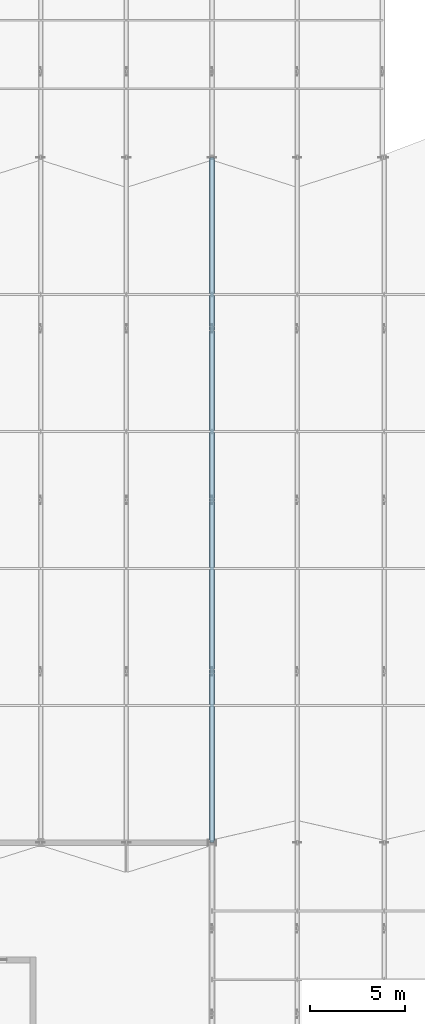
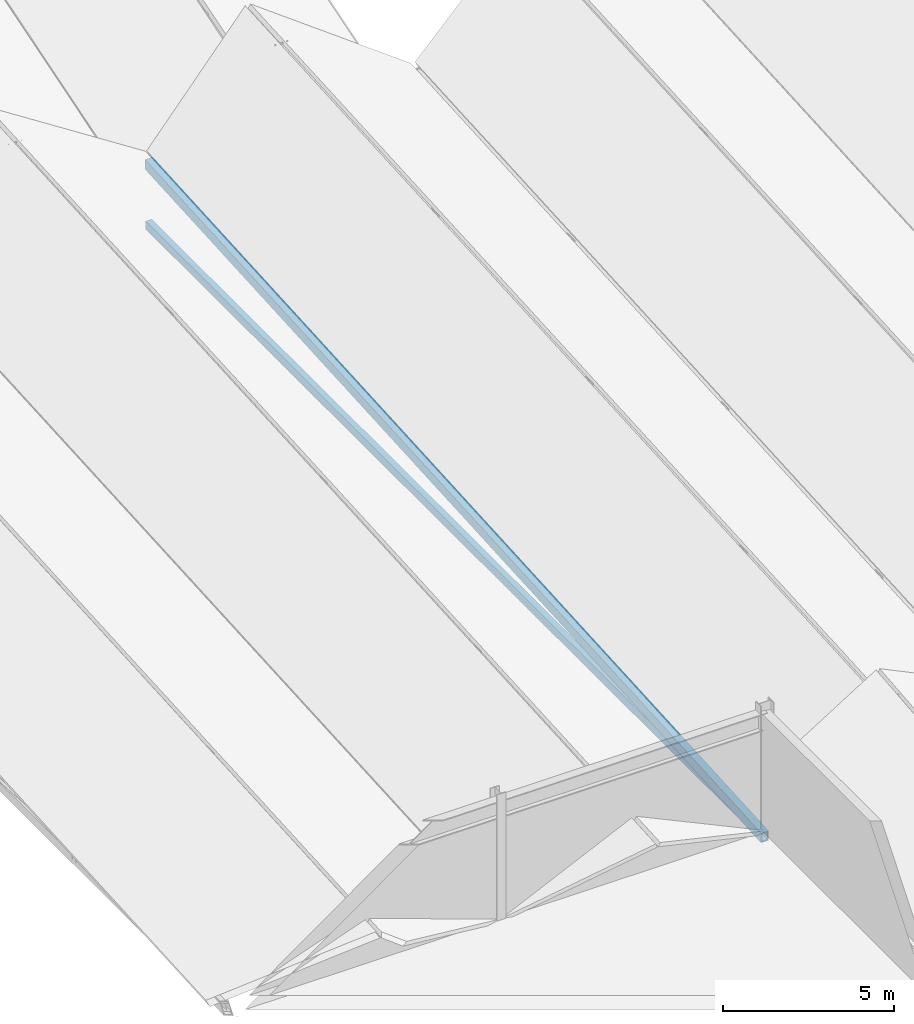
# One storey, part 37 of 142: 2 members.
"""IFC4 building model written with IfcOpenShell, lengths in metres."""

import ifcopenshell
import ifcopenshell.guid

model = None  # the IFC model being written
_history = None  # IfcOwnerHistory: only IFC2X3 demands one
_inside = {}  # id of a spatial element -> (the spatial element, [elements in it])
_under = {}  # id of a project, library or spatial element -> (it, [spatial elements below it])
_declared = {}  # id of a project -> (the project, [libraries it declares])
_typed = {}  # id of a type object -> (the type object, [elements of that type])
_made_of = {}  # id of a material, layer set ... -> (it, [elements and type objects made of it])


def new_model(schema):
    """Start an empty IFC model of exactly this schema.

    Asked for "IFC4X3", IfcOpenShell would pick the latest addendum, in which some entities
    have other attributes; the version numbers below select the first issue.
    IFC2X3 requires an IfcOwnerHistory on every rooted entity: one is made here for all.
    """
    global model, _history
    if schema == "IFC4X3":
        model = ifcopenshell.file(schema_version=(4, 3, 0, 0))
    else:
        model = ifcopenshell.file(schema=schema)
    _inside.clear()
    _under.clear()
    _declared.clear()
    _typed.clear()
    _made_of.clear()
    _history = None
    if model.schema == "IFC2X3":
        org = make("IfcOrganization", Name="unknown")
        user = make(
            "IfcPersonAndOrganization",
            ThePerson=make("IfcPerson", FamilyName="unknown"),
            TheOrganization=org,
        )
        app = make(
            "IfcApplication",
            ApplicationDeveloper=org,
            Version="unknown",
            ApplicationFullName="unknown",
            ApplicationIdentifier="unknown",
        )
        _history = make(
            "IfcOwnerHistory",
            OwningUser=user,
            OwningApplication=app,
            ChangeAction="ADDED",
            CreationDate=0,
        )
    return model


def make(cls, **values):
    """One entity of the class cls with the attributes given. An attribute that is None is left unset."""
    return model.create_entity(
        cls, **{name: value for name, value in values.items() if value is not None}
    )


def rooted(cls, **values):
    """An entity with a GlobalId (a new one), such as an element, a storey or a relation."""
    return make(cls, GlobalId=ifcopenshell.guid.new(), OwnerHistory=_history, **values)


def si_unit(unit_type, name, prefix=None):
    """IfcSIUnit, for example si_unit("LENGTHUNIT", "METRE", prefix="MILLI")."""
    return make("IfcSIUnit", UnitType=unit_type, Prefix=prefix, Name=name)


def assignment(units):
    """IfcUnitAssignment: the units of a project."""
    return None if units is None else make("IfcUnitAssignment", Units=units)


def point(xyz):
    """IfcCartesianPoint."""
    return None if xyz is None else make("IfcCartesianPoint", Coordinates=xyz)


def direction(xyz):
    """IfcDirection."""
    return None if xyz is None else make("IfcDirection", DirectionRatios=xyz)


def frame(location, z_axis=None, x_axis=None):
    """IfcAxis2Placement3D, a coordinate frame: its origin and axes. An axis left out is left unset."""
    return make(
        "IfcAxis2Placement3D",
        Location=point(location),
        Axis=direction(z_axis),
        RefDirection=direction(x_axis),
    )


def frame_2d(location, x_axis=None):
    """IfcAxis2Placement2D, a coordinate frame in the plane: its origin and x axis."""
    return make(
        "IfcAxis2Placement2D", Location=point(location), RefDirection=direction(x_axis)
    )


def origin():
    """The frame at (0, 0, 0) with its axes left unset."""
    return frame((0.0, 0.0, 0.0))


def origin_2d():
    """The frame at (0, 0) in the plane with its x axis left unset."""
    return frame_2d((0.0, 0.0))


def place(relative_to, where):
    """IfcLocalPlacement: puts the frame where relative to a parent placement (None: the world)."""
    return make(
        "IfcLocalPlacement", PlacementRelTo=relative_to, RelativePlacement=where
    )


def context(
    kind, dimensions, precision=None, world=None, true_north=None, identifier=None
):
    """IfcGeometricRepresentationContext, for example the 3D "Model" context."""
    return make(
        "IfcGeometricRepresentationContext",
        ContextIdentifier=identifier,
        ContextType=kind,
        CoordinateSpaceDimension=dimensions,
        Precision=precision,
        WorldCoordinateSystem=world,
        TrueNorth=true_north,
    )


def subcontext(parent, identifier, kind, view, scale=None):
    """IfcGeometricRepresentationSubContext, for example "Body" below "Model"."""
    return make(
        "IfcGeometricRepresentationSubContext",
        ContextIdentifier=identifier,
        ContextType=kind,
        ParentContext=parent,
        TargetScale=scale,
        TargetView=view,
    )


def project(units=None, contexts=None):
    """IfcProject with its units and contexts."""
    return rooted(
        "IfcProject",
        Name="project",
        RepresentationContexts=contexts,
        UnitsInContext=assignment(units),
    )


def spatial(cls, under=None, at=None, **own):
    """A site, building, storey or space (cls), placed at a placement, below another one or the project."""
    s = rooted(cls, ObjectPlacement=at, **own)
    if under is not None:
        _under.setdefault(under.id(), (under, []))[1].append(s)
    return s


def profile(cls, at=None, kind="AREA", **sizes):
    """A parametric profile (cls). Its sizes go by their IFC names, for example OverallWidth=200.0."""
    return make(cls, ProfileType=kind, Position=at, **sizes)


def hollow_rectangle(**sizes):
    """IfcRectangleHollowProfileDef."""
    return profile("IfcRectangleHollowProfileDef", **sizes)


def extrude(swept, where, along, depth):
    """IfcExtrudedAreaSolid: the profile swept, set in the frame where, extruded along a direction by depth."""
    return make(
        "IfcExtrudedAreaSolid",
        SweptArea=swept,
        Position=where,
        ExtrudedDirection=direction(along),
        Depth=depth,
    )


def shape(context_of_items, identifier, shape_type, items):
    """IfcShapeRepresentation: the items that make up one representation, for example the "Body"."""
    return make(
        "IfcShapeRepresentation",
        ContextOfItems=context_of_items,
        RepresentationIdentifier=identifier,
        RepresentationType=shape_type,
        Items=items,
    )


def material(Name=None, Category=None):
    """IfcMaterial."""
    return make("IfcMaterial", Name=Name, Category=Category)


def material_profile(
    of_material, cross_section, Name=None, Category=None, Priority=None
):
    """IfcMaterialProfile: a cross section and its material."""
    return make(
        "IfcMaterialProfile",
        Name=Name,
        Material=of_material,
        Profile=cross_section,
        Priority=Priority,
        Category=Category,
    )


def profile_set(profiles, Name=None, composite=None):
    """IfcMaterialProfileSet."""
    return make(
        "IfcMaterialProfileSet",
        Name=Name,
        MaterialProfiles=profiles,
        CompositeProfile=composite,
    )


def made_of(thing, what):
    """Note that an element or type object is made of a material, layer set ...; save() writes the relation."""
    if what is not None:
        _made_of.setdefault(what.id(), (what, []))[1].append(thing)
    return thing


def type_object(cls, material=None, **own):
    """A type object (cls), such as IfcWallType, which elements share."""
    return made_of(rooted(cls, **own), material)


def element(
    cls,
    number,
    at=None,
    inside=None,
    cuts=None,
    type_object=None,
    material=None,
    context=None,
    identifier="Body",
    shape_type=None,
    held_by="IfcProductDefinitionShape",
    body=None,
    shapes=None,
    **own,
):
    """One element of the class cls, such as IfcWall. Its Tag is "e" and its number.

    at: its placement. inside: the storey or other place that contains it. cuts: it is an
    opening in that element (IfcRelVoidsElement). A single representation is given by context,
    identifier, shape_type and body (its items); several are given by shapes. held_by: the class
    of the entity that holds the representations. save() writes the other relations.
    """
    e = rooted(cls, Tag="e%d" % number, ObjectPlacement=at, **own)
    if body is not None:
        shapes = [shape(context, identifier, shape_type, body)]
    if shapes is not None:
        e.Representation = make(held_by, Representations=shapes)
    if inside is not None:
        _inside.setdefault(inside.id(), (inside, []))[1].append(e)
    if cuts is not None:
        rooted(
            "IfcRelVoidsElement", RelatingBuildingElement=cuts, RelatedOpeningElement=e
        )
    if type_object is not None:
        _typed.setdefault(type_object.id(), (type_object, []))[1].append(e)
    return made_of(e, material)


def aggregate(whole, parts):
    """IfcRelAggregates: a whole, such as a stair, and the parts it consists of."""
    return rooted("IfcRelAggregates", RelatingObject=whole, RelatedObjects=parts)


def save(model, path):
    """Write the relations noted so far, then the file.

    IfcRelAggregates (storeys below a building ...), IfcRelContainedInSpatialStructure (elements
    in a storey), IfcRelDefinesByType, IfcRelAssociatesMaterial and IfcRelDeclares: one each for
    every whole, place, type object, material and project.
    """
    for whole, parts in _under.values():
        aggregate(whole, parts)
    for where, things in _inside.values():
        rooted(
            "IfcRelContainedInSpatialStructure",
            RelatedElements=things,
            RelatingStructure=where,
        )
    for kind, things in _typed.values():
        rooted("IfcRelDefinesByType", RelatedObjects=things, RelatingType=kind)
    for what, things in _made_of.values():
        rooted("IfcRelAssociatesMaterial", RelatedObjects=things, RelatingMaterial=what)
    for by, libraries in _declared.values():
        rooted("IfcRelDeclares", RelatingContext=by, RelatedDefinitions=libraries)
    model.write(path)


model = new_model("IFC4")

# Units and contexts
model_context = context("Model", 3, precision=1e-05, world=origin(), true_north=direction((0.0, 1.0)))
body_context = subcontext(model_context, "Body", "Model", "MODEL_VIEW")
ifc_project = project(units=[si_unit("LENGTHUNIT", "METRE"), si_unit("AREAUNIT", "SQUARE_METRE"), si_unit("VOLUMEUNIT", "CUBIC_METRE"), si_unit("PLANEANGLEUNIT", "RADIAN"), si_unit("MASSUNIT", "GRAM", prefix="KILO")], contexts=[model_context])

# Site, building, storey
site_placement = place(None, origin())
site = spatial("IfcSite", under=ifc_project, at=site_placement, CompositionType="ELEMENT")
building_placement = place(site_placement, origin())
building = spatial("IfcBuilding", under=site, at=building_placement, Name="Montelvaro Courts of Justice", CompositionType="ELEMENT")
storey_placement = place(building_placement, frame((0.0, 0.0, 14.39990234375)))
storey = spatial("IfcBuildingStorey", under=building, at=storey_placement, Name="L03", CompositionType="ELEMENT", Elevation=14.39990234375)

# Members
ifc_material = material(Name="Steel S355", Category="steel")
ifc_material_profile_1 = material_profile(ifc_material, hollow_rectangle(XDim=0.199951171875, YDim=0.300048828125, WallThickness=0.012451171875, at=origin_2d()), Name="RHS 300x200x12.5")
ifc_profile_set_1 = profile_set([ifc_material_profile_1], Name="Steel S355")
member_type_1 = type_object("IfcMemberType", Name="Mem_RHS300_Chord", PredefinedType="CHORD", material=ifc_profile_set_1)
member_1_placement = place(storey_placement, frame((72.0, 42.0, -0.2998046875), z_axis=(0.0, 1.0, 0.0), x_axis=(-1.0, 0.0, 0.0)))
element("IfcMember", 1, at=member_1_placement, inside=storey, type_object=member_type_1, Name="Roof Truss ROOF-PASSAGE-VTR03 Bottom Chord", PredefinedType="CHORD", context=body_context, shape_type="SweptSolid", body=[
    extrude(hollow_rectangle(XDim=0.199951171875, YDim=0.300048828125, WallThickness=0.012451171875, at=origin_2d()), origin(), (0.0, 0.0, 1.0), 36.0),
])
ifc_material_profile_2 = material_profile(ifc_material, hollow_rectangle(XDim=0.25, YDim=0.35009765625, WallThickness=0.012451171875, at=origin_2d()), Name="RHS 350x250x12.5")
ifc_profile_set_2 = profile_set([ifc_material_profile_2], Name="Steel S355")
member_type_2 = type_object("IfcMemberType", Name="Mem_RHS350_Chord", PredefinedType="CHORD", material=ifc_profile_set_2)
member_2_placement = place(storey_placement, frame((72.0, 42.0, -0.31982421875), z_axis=(0.0, 0.998138012374, 0.060995969167), x_axis=(-1.0, 0.0, 0.0)))
element("IfcMember", 2, at=member_2_placement, inside=storey, type_object=member_type_2, Name="Roof Truss ROOF-PASSAGE-VTR03 Top Chord", PredefinedType="CHORD", context=body_context, shape_type="SweptSolid", body=[
    extrude(hollow_rectangle(XDim=0.25, YDim=0.35009765625, WallThickness=0.012451171875, at=origin_2d()), origin(), (0.0, 0.0, 1.0), 36.067138671875),
])

save(model, "model.ifc")
